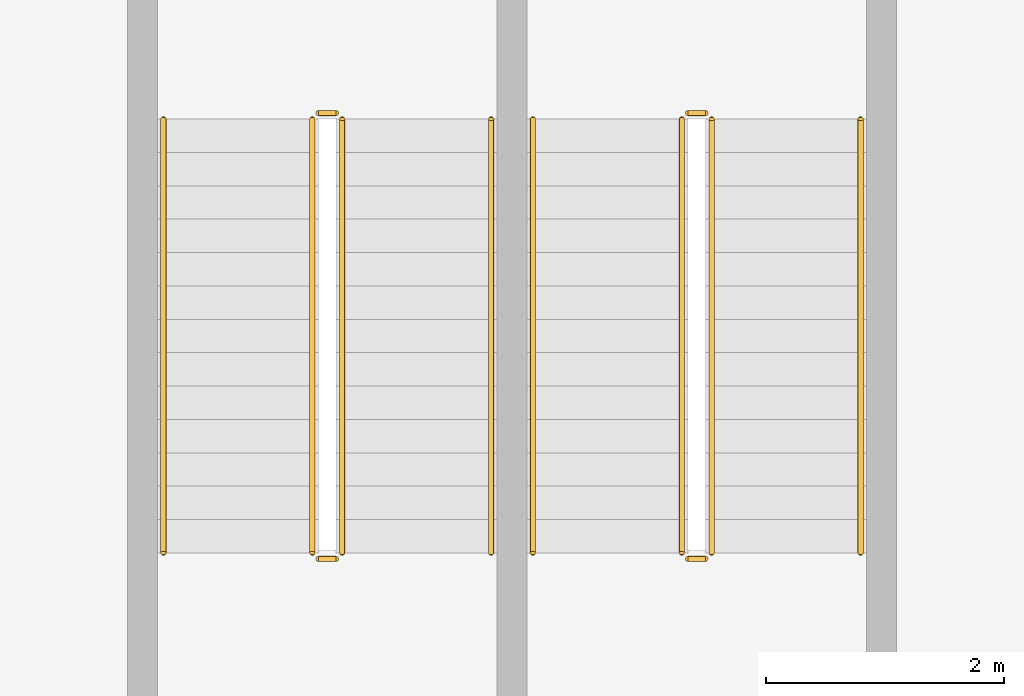
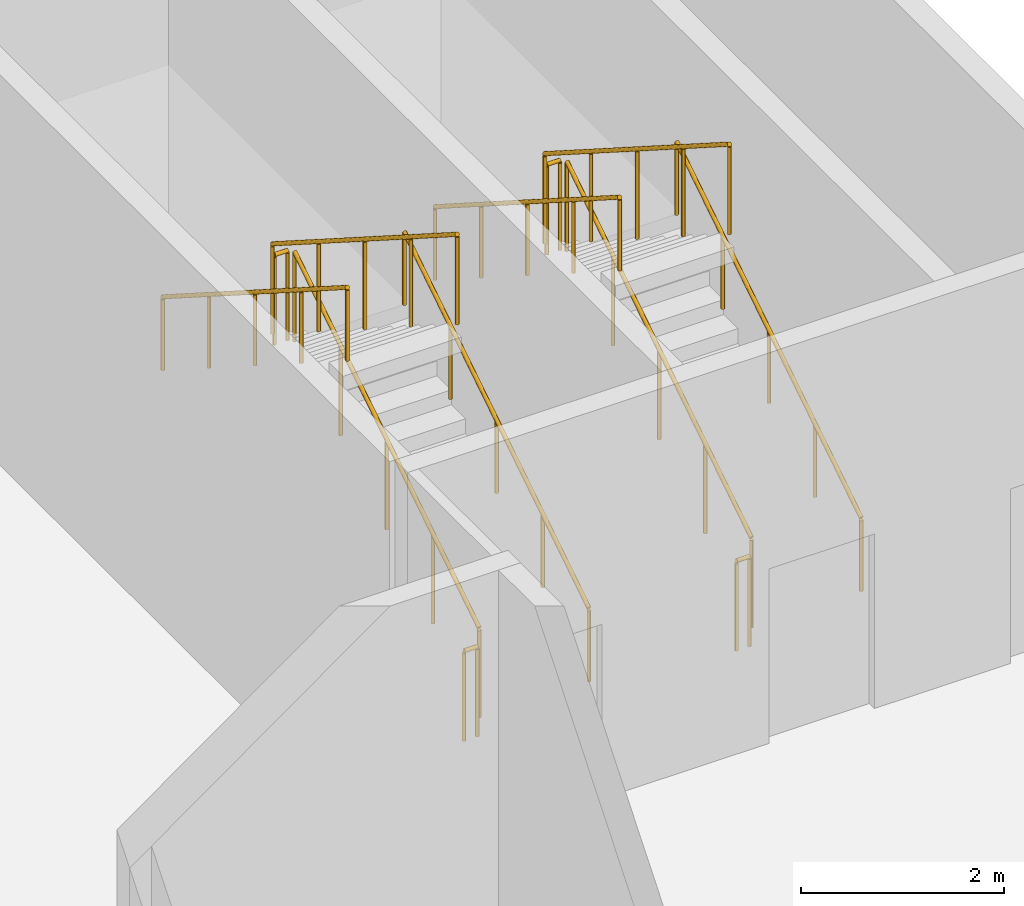
# One storey, part 32 of 33: 12 railings.
"""IFC4 building model written with IfcOpenShell, lengths in metres."""

import ifcopenshell
import ifcopenshell.guid

model = None  # the IFC model being written
_history = None  # IfcOwnerHistory: only IFC2X3 demands one
_inside = {}  # id of a spatial element -> (the spatial element, [elements in it])
_under = {}  # id of a project, library or spatial element -> (it, [spatial elements below it])
_declared = {}  # id of a project -> (the project, [libraries it declares])
_typed = {}  # id of a type object -> (the type object, [elements of that type])
_made_of = {}  # id of a material, layer set ... -> (it, [elements and type objects made of it])


def new_model(schema):
    """Start an empty IFC model of exactly this schema.

    Asked for "IFC4X3", IfcOpenShell would pick the latest addendum, in which some entities
    have other attributes; the version numbers below select the first issue.
    IFC2X3 requires an IfcOwnerHistory on every rooted entity: one is made here for all.
    """
    global model, _history
    if schema == "IFC4X3":
        model = ifcopenshell.file(schema_version=(4, 3, 0, 0))
    else:
        model = ifcopenshell.file(schema=schema)
    _inside.clear()
    _under.clear()
    _declared.clear()
    _typed.clear()
    _made_of.clear()
    _history = None
    if model.schema == "IFC2X3":
        org = make("IfcOrganization", Name="unknown")
        user = make(
            "IfcPersonAndOrganization",
            ThePerson=make("IfcPerson", FamilyName="unknown"),
            TheOrganization=org,
        )
        app = make(
            "IfcApplication",
            ApplicationDeveloper=org,
            Version="unknown",
            ApplicationFullName="unknown",
            ApplicationIdentifier="unknown",
        )
        _history = make(
            "IfcOwnerHistory",
            OwningUser=user,
            OwningApplication=app,
            ChangeAction="ADDED",
            CreationDate=0,
        )
    return model


def make(cls, **values):
    """One entity of the class cls with the attributes given. An attribute that is None is left unset."""
    return model.create_entity(
        cls, **{name: value for name, value in values.items() if value is not None}
    )


def rooted(cls, **values):
    """An entity with a GlobalId (a new one), such as an element, a storey or a relation."""
    return make(cls, GlobalId=ifcopenshell.guid.new(), OwnerHistory=_history, **values)


def si_unit(unit_type, name, prefix=None):
    """IfcSIUnit, for example si_unit("LENGTHUNIT", "METRE", prefix="MILLI")."""
    return make("IfcSIUnit", UnitType=unit_type, Prefix=prefix, Name=name)


def assignment(units):
    """IfcUnitAssignment: the units of a project."""
    return None if units is None else make("IfcUnitAssignment", Units=units)


def point(xyz):
    """IfcCartesianPoint."""
    return None if xyz is None else make("IfcCartesianPoint", Coordinates=xyz)


def direction(xyz):
    """IfcDirection."""
    return None if xyz is None else make("IfcDirection", DirectionRatios=xyz)


def frame(location, z_axis=None, x_axis=None):
    """IfcAxis2Placement3D, a coordinate frame: its origin and axes. An axis left out is left unset."""
    return make(
        "IfcAxis2Placement3D",
        Location=point(location),
        Axis=direction(z_axis),
        RefDirection=direction(x_axis),
    )


def frame_2d(location, x_axis=None):
    """IfcAxis2Placement2D, a coordinate frame in the plane: its origin and x axis."""
    return make(
        "IfcAxis2Placement2D", Location=point(location), RefDirection=direction(x_axis)
    )


def origin():
    """The frame at (0, 0, 0) with its axes left unset."""
    return frame((0.0, 0.0, 0.0))


def origin_2d():
    """The frame at (0, 0) in the plane with its x axis left unset."""
    return frame_2d((0.0, 0.0))


def place(relative_to, where):
    """IfcLocalPlacement: puts the frame where relative to a parent placement (None: the world)."""
    return make(
        "IfcLocalPlacement", PlacementRelTo=relative_to, RelativePlacement=where
    )


def context(
    kind, dimensions, precision=None, world=None, true_north=None, identifier=None
):
    """IfcGeometricRepresentationContext, for example the 3D "Model" context."""
    return make(
        "IfcGeometricRepresentationContext",
        ContextIdentifier=identifier,
        ContextType=kind,
        CoordinateSpaceDimension=dimensions,
        Precision=precision,
        WorldCoordinateSystem=world,
        TrueNorth=true_north,
    )


def subcontext(parent, identifier, kind, view, scale=None):
    """IfcGeometricRepresentationSubContext, for example "Body" below "Model"."""
    return make(
        "IfcGeometricRepresentationSubContext",
        ContextIdentifier=identifier,
        ContextType=kind,
        ParentContext=parent,
        TargetScale=scale,
        TargetView=view,
    )


def project(units=None, contexts=None):
    """IfcProject with its units and contexts."""
    return rooted(
        "IfcProject",
        Name="project",
        RepresentationContexts=contexts,
        UnitsInContext=assignment(units),
    )


def spatial(cls, under=None, at=None, **own):
    """A site, building, storey or space (cls), placed at a placement, below another one or the project."""
    s = rooted(cls, ObjectPlacement=at, **own)
    if under is not None:
        _under.setdefault(under.id(), (under, []))[1].append(s)
    return s


def profile(cls, at=None, kind="AREA", **sizes):
    """A parametric profile (cls). Its sizes go by their IFC names, for example OverallWidth=200.0."""
    return make(cls, ProfileType=kind, Position=at, **sizes)


def circle(**sizes):
    """IfcCircleProfileDef."""
    return profile("IfcCircleProfileDef", **sizes)


def extrude(swept, where, along, depth):
    """IfcExtrudedAreaSolid: the profile swept, set in the frame where, extruded along a direction by depth."""
    return make(
        "IfcExtrudedAreaSolid",
        SweptArea=swept,
        Position=where,
        ExtrudedDirection=direction(along),
        Depth=depth,
    )


def shape(context_of_items, identifier, shape_type, items):
    """IfcShapeRepresentation: the items that make up one representation, for example the "Body"."""
    return make(
        "IfcShapeRepresentation",
        ContextOfItems=context_of_items,
        RepresentationIdentifier=identifier,
        RepresentationType=shape_type,
        Items=items,
    )


def material(Name=None, Category=None):
    """IfcMaterial."""
    return make("IfcMaterial", Name=Name, Category=Category)


def made_of(thing, what):
    """Note that an element or type object is made of a material, layer set ...; save() writes the relation."""
    if what is not None:
        _made_of.setdefault(what.id(), (what, []))[1].append(thing)
    return thing


def type_object(cls, material=None, **own):
    """A type object (cls), such as IfcWallType, which elements share."""
    return made_of(rooted(cls, **own), material)


def element(
    cls,
    number,
    at=None,
    inside=None,
    cuts=None,
    type_object=None,
    material=None,
    context=None,
    identifier="Body",
    shape_type=None,
    held_by="IfcProductDefinitionShape",
    body=None,
    shapes=None,
    **own,
):
    """One element of the class cls, such as IfcWall. Its Tag is "e" and its number.

    at: its placement. inside: the storey or other place that contains it. cuts: it is an
    opening in that element (IfcRelVoidsElement). A single representation is given by context,
    identifier, shape_type and body (its items); several are given by shapes. held_by: the class
    of the entity that holds the representations. save() writes the other relations.
    """
    e = rooted(cls, Tag="e%d" % number, ObjectPlacement=at, **own)
    if body is not None:
        shapes = [shape(context, identifier, shape_type, body)]
    if shapes is not None:
        e.Representation = make(held_by, Representations=shapes)
    if inside is not None:
        _inside.setdefault(inside.id(), (inside, []))[1].append(e)
    if cuts is not None:
        rooted(
            "IfcRelVoidsElement", RelatingBuildingElement=cuts, RelatedOpeningElement=e
        )
    if type_object is not None:
        _typed.setdefault(type_object.id(), (type_object, []))[1].append(e)
    return made_of(e, material)


def aggregate(whole, parts):
    """IfcRelAggregates: a whole, such as a stair, and the parts it consists of."""
    return rooted("IfcRelAggregates", RelatingObject=whole, RelatedObjects=parts)


def save(model, path):
    """Write the relations noted so far, then the file.

    IfcRelAggregates (storeys below a building ...), IfcRelContainedInSpatialStructure (elements
    in a storey), IfcRelDefinesByType, IfcRelAssociatesMaterial and IfcRelDeclares: one each for
    every whole, place, type object, material and project.
    """
    for whole, parts in _under.values():
        aggregate(whole, parts)
    for where, things in _inside.values():
        rooted(
            "IfcRelContainedInSpatialStructure",
            RelatedElements=things,
            RelatingStructure=where,
        )
    for kind, things in _typed.values():
        rooted("IfcRelDefinesByType", RelatedObjects=things, RelatingType=kind)
    for what, things in _made_of.values():
        rooted("IfcRelAssociatesMaterial", RelatedObjects=things, RelatingMaterial=what)
    for by, libraries in _declared.values():
        rooted("IfcRelDeclares", RelatingContext=by, RelatedDefinitions=libraries)
    model.write(path)


model = new_model("IFC4")

# Units and contexts
model_context = context("Model", 3, precision=1e-05, world=origin(), true_north=direction((0.0, 1.0)))
body_context = subcontext(model_context, "Body", "Model", "MODEL_VIEW")
ifc_project = project(units=[si_unit("LENGTHUNIT", "METRE"), si_unit("AREAUNIT", "SQUARE_METRE"), si_unit("VOLUMEUNIT", "CUBIC_METRE"), si_unit("PLANEANGLEUNIT", "RADIAN"), si_unit("MASSUNIT", "GRAM", prefix="KILO")], contexts=[model_context])

# Site, building, storey
site_placement = place(None, origin())
site = spatial("IfcSite", under=ifc_project, at=site_placement, CompositionType="ELEMENT")
building_placement = place(site_placement, origin())
building = spatial("IfcBuilding", under=site, at=building_placement, Name="Candeia Pilgrim Tower and Theatre", CompositionType="ELEMENT")
storey_placement = place(building_placement, frame((0.0, 0.0, 29.0)))
storey = spatial("IfcBuildingStorey", under=building, at=storey_placement, Name="L04", CompositionType="ELEMENT", Elevation=29.0)

# Railings
ifc_material = material(Name="Steel S355", Category="steel")
railing_type_1 = type_object("IfcRailingType", Name="Guard 1100 steel balustrade", PredefinedType="GUARDRAIL", material=ifc_material)
railing_1_placement = place(storey_placement, frame((236.47509765625, 107.77490234375, 0.178466796875)))
element("IfcRailing", 1, at=railing_1_placement, inside=storey, type_object=railing_type_1, Name="L04 TS3 stair guard 1", PredefinedType="GUARDRAIL", context=body_context, shape_type="SweptSolid", body=[
    extrude(circle(Radius=0.02392578125, at=origin_2d()), frame((0.0, 0.0, 1.076171875), z_axis=(0.0, 0.843127859045, 0.537713132908), x_axis=(-1.0, 0.0, 0.0)), (0.0, 0.0, 1.0), 4.3173828125),
    extrude(circle(Radius=0.02099609375, at=origin_2d()), origin(), (0.0, 0.0, 1.0), 1.052001953125),
    extrude(circle(Radius=0.02099609375, at=origin_2d()), frame((0.0, 0.91015625, 0.580322265625)), (0.0, 0.0, 1.0), 1.052001953125),
    extrude(circle(Radius=0.02099609375, at=origin_2d()), frame((0.0, 1.820068359375, 1.16064453125)), (0.0, 0.0, 1.0), 1.052001953125),
    extrude(circle(Radius=0.02099609375, at=origin_2d()), frame((0.0, 2.72998046875, 1.7412109375)), (0.0, 0.0, 1.0), 1.052001953125),
    extrude(circle(Radius=0.02099609375, at=origin_2d()), frame((0.0, 3.64013671875, 2.321533203125)), (0.0, 0.0, 1.0), 1.052001953125),
])
railing_2_placement = place(storey_placement, frame((236.425048828125, 111.465087890625, 2.5)))
element("IfcRailing", 2, at=railing_2_placement, inside=storey, type_object=railing_type_1, Name="L04 TS3 stair guard 2", PredefinedType="GUARDRAIL", context=body_context, shape_type="SweptSolid", body=[
    extrude(circle(Radius=0.02392578125, at=origin_2d()), frame((0.0, 0.0, 1.076171875), z_axis=(-1.0, 0.0, 0.0), x_axis=(0.0, -1.0, 0.0)), (0.0, 0.0, 1.0), 0.150146484375),
    extrude(circle(Radius=0.02099609375, at=origin_2d()), origin(), (0.0, 0.0, 1.0), 1.052001953125),
    extrude(circle(Radius=0.02099609375, at=origin_2d()), frame((-0.150146484375, 0.0, 0.0)), (0.0, 0.0, 1.0), 1.052001953125),
])
railing_3_placement = place(storey_placement, frame((236.22509765625, 111.4150390625, 2.678466796875)))
element("IfcRailing", 3, at=railing_3_placement, inside=storey, type_object=railing_type_1, Name="L04 TS3 stair guard 3", PredefinedType="GUARDRAIL", context=body_context, shape_type="SweptSolid", body=[
    extrude(circle(Radius=0.02392578125, at=origin_2d()), frame((0.0, 0.0, 1.076171875), z_axis=(0.0, -0.843127859045, 0.537713132908), x_axis=(1.0, 0.0, 0.0)), (0.0, 0.0, 1.0), 4.3173828125),
    extrude(circle(Radius=0.02099609375, at=origin_2d()), origin(), (0.0, 0.0, 1.0), 1.052001953125),
    extrude(circle(Radius=0.02099609375, at=origin_2d()), frame((0.0, -0.91015625, 0.580322265625)), (0.0, 0.0, 1.0), 1.052001953125),
    extrude(circle(Radius=0.02099609375, at=origin_2d()), frame((0.0, -1.820068359375, 1.16064453125)), (0.0, 0.0, 1.0), 1.052001953125),
    extrude(circle(Radius=0.02099609375, at=origin_2d()), frame((0.0, -2.72998046875, 1.7412109375)), (0.0, 0.0, 1.0), 1.052001953125),
    extrude(circle(Radius=0.02099609375, at=origin_2d()), frame((0.0, -3.64013671875, 2.321533203125)), (0.0, 0.0, 1.0), 1.052001953125),
])
railing_4_placement = place(storey_placement, frame((236.425048828125, 107.72509765625, 0.0)))
element("IfcRailing", 4, at=railing_4_placement, inside=storey, type_object=railing_type_1, Name="L04 TS3 stair guard 4", PredefinedType="GUARDRAIL", context=body_context, shape_type="SweptSolid", body=[
    extrude(circle(Radius=0.02392578125, at=origin_2d()), frame((0.0, 0.0, 1.076171875), z_axis=(-1.0, 0.0, 0.0), x_axis=(0.0, -1.0, 0.0)), (0.0, 0.0, 1.0), 0.150146484375),
    extrude(circle(Radius=0.02099609375, at=origin_2d()), origin(), (0.0, 0.0, 1.0), 1.052001953125),
    extrude(circle(Radius=0.02099609375, at=origin_2d()), frame((-0.150146484375, 0.0, 0.0)), (0.0, 0.0, 1.0), 1.052001953125),
])
railing_5_placement = place(storey_placement, frame((239.574951171875, 107.77490234375, 0.178466796875)))
element("IfcRailing", 5, at=railing_5_placement, inside=storey, type_object=railing_type_1, Name="L04 TS4 stair guard 1", PredefinedType="GUARDRAIL", context=body_context, shape_type="SweptSolid", body=[
    extrude(circle(Radius=0.02392578125, at=origin_2d()), frame((0.0, 0.0, 1.076171875), z_axis=(0.0, 0.843127859045, 0.537713132908), x_axis=(-1.0, 0.0, 0.0)), (0.0, 0.0, 1.0), 4.3173828125),
    extrude(circle(Radius=0.02099609375, at=origin_2d()), origin(), (0.0, 0.0, 1.0), 1.052001953125),
    extrude(circle(Radius=0.02099609375, at=origin_2d()), frame((0.0, 0.91015625, 0.580322265625)), (0.0, 0.0, 1.0), 1.052001953125),
    extrude(circle(Radius=0.02099609375, at=origin_2d()), frame((0.0, 1.820068359375, 1.16064453125)), (0.0, 0.0, 1.0), 1.052001953125),
    extrude(circle(Radius=0.02099609375, at=origin_2d()), frame((0.0, 2.72998046875, 1.7412109375)), (0.0, 0.0, 1.0), 1.052001953125),
    extrude(circle(Radius=0.02099609375, at=origin_2d()), frame((0.0, 3.64013671875, 2.321533203125)), (0.0, 0.0, 1.0), 1.052001953125),
])
railing_6_placement = place(storey_placement, frame((239.52490234375, 111.465087890625, 2.5)))
element("IfcRailing", 6, at=railing_6_placement, inside=storey, type_object=railing_type_1, Name="L04 TS4 stair guard 2", PredefinedType="GUARDRAIL", context=body_context, shape_type="SweptSolid", body=[
    extrude(circle(Radius=0.02392578125, at=origin_2d()), frame((0.0, 0.0, 1.076171875), z_axis=(-1.0, 0.0, 0.0), x_axis=(0.0, -1.0, 0.0)), (0.0, 0.0, 1.0), 0.14990234375),
    extrude(circle(Radius=0.02099609375, at=origin_2d()), origin(), (0.0, 0.0, 1.0), 1.052001953125),
    extrude(circle(Radius=0.02099609375, at=origin_2d()), frame((-0.14990234375, 0.0, 0.0)), (0.0, 0.0, 1.0), 1.052001953125),
])
railing_7_placement = place(storey_placement, frame((239.324951171875, 111.4150390625, 2.678466796875)))
element("IfcRailing", 7, at=railing_7_placement, inside=storey, type_object=railing_type_1, Name="L04 TS4 stair guard 3", PredefinedType="GUARDRAIL", context=body_context, shape_type="SweptSolid", body=[
    extrude(circle(Radius=0.02392578125, at=origin_2d()), frame((0.0, 0.0, 1.076171875), z_axis=(0.0, -0.843127859045, 0.537713132908), x_axis=(1.0, 0.0, 0.0)), (0.0, 0.0, 1.0), 4.3173828125),
    extrude(circle(Radius=0.02099609375, at=origin_2d()), origin(), (0.0, 0.0, 1.0), 1.052001953125),
    extrude(circle(Radius=0.02099609375, at=origin_2d()), frame((0.0, -0.91015625, 0.580322265625)), (0.0, 0.0, 1.0), 1.052001953125),
    extrude(circle(Radius=0.02099609375, at=origin_2d()), frame((0.0, -1.820068359375, 1.16064453125)), (0.0, 0.0, 1.0), 1.052001953125),
    extrude(circle(Radius=0.02099609375, at=origin_2d()), frame((0.0, -2.72998046875, 1.7412109375)), (0.0, 0.0, 1.0), 1.052001953125),
    extrude(circle(Radius=0.02099609375, at=origin_2d()), frame((0.0, -3.64013671875, 2.321533203125)), (0.0, 0.0, 1.0), 1.052001953125),
])
railing_8_placement = place(storey_placement, frame((239.52490234375, 107.72509765625, 0.0)))
element("IfcRailing", 8, at=railing_8_placement, inside=storey, type_object=railing_type_1, Name="L04 TS4 stair guard 4", PredefinedType="GUARDRAIL", context=body_context, shape_type="SweptSolid", body=[
    extrude(circle(Radius=0.02392578125, at=origin_2d()), frame((0.0, 0.0, 1.076171875), z_axis=(-1.0, 0.0, 0.0), x_axis=(0.0, -1.0, 0.0)), (0.0, 0.0, 1.0), 0.14990234375),
    extrude(circle(Radius=0.02099609375, at=origin_2d()), origin(), (0.0, 0.0, 1.0), 1.052001953125),
    extrude(circle(Radius=0.02099609375, at=origin_2d()), frame((-0.14990234375, 0.0, 0.0)), (0.0, 0.0, 1.0), 1.052001953125),
])
railing_type_2 = type_object("IfcRailingType", Name="Handrail 900 steel", PredefinedType="HANDRAIL", material=ifc_material)
railing_9_placement = place(storey_placement, frame((237.72509765625, 107.77490234375, 0.178466796875)))
element("IfcRailing", 9, at=railing_9_placement, inside=storey, type_object=railing_type_2, Name="L04 TS3 stair handrail 1", PredefinedType="HANDRAIL", context=body_context, shape_type="SweptSolid", body=[
    extrude(circle(Radius=0.02392578125, at=origin_2d()), frame((0.0, 0.0, 0.8759765625), z_axis=(0.0, 0.843127859045, 0.537713132908), x_axis=(-1.0, 0.0, 0.0)), (0.0, 0.0, 1.0), 4.3173828125),
    extrude(circle(Radius=0.02099609375, at=origin_2d()), origin(), (0.0, 0.0, 1.0), 0.851806640625),
    extrude(circle(Radius=0.02099609375, at=origin_2d()), frame((0.0, 0.91015625, 0.580322265625)), (0.0, 0.0, 1.0), 0.851806640625),
    extrude(circle(Radius=0.02099609375, at=origin_2d()), frame((0.0, 1.820068359375, 1.16064453125)), (0.0, 0.0, 1.0), 0.851806640625),
    extrude(circle(Radius=0.02099609375, at=origin_2d()), frame((0.0, 2.72998046875, 1.7412109375)), (0.0, 0.0, 1.0), 0.851806640625),
    extrude(circle(Radius=0.02099609375, at=origin_2d()), frame((0.0, 3.64013671875, 2.321533203125)), (0.0, 0.0, 1.0), 0.851806640625),
])
railing_10_placement = place(storey_placement, frame((234.97509765625, 111.4150390625, 2.678466796875)))
element("IfcRailing", 10, at=railing_10_placement, inside=storey, type_object=railing_type_2, Name="L04 TS3 stair handrail 2", PredefinedType="HANDRAIL", context=body_context, shape_type="SweptSolid", body=[
    extrude(circle(Radius=0.02392578125, at=origin_2d()), frame((0.0, 0.0, 0.8759765625), z_axis=(0.0, -0.843127859045, 0.537713132908), x_axis=(1.0, 0.0, 0.0)), (0.0, 0.0, 1.0), 4.3173828125),
    extrude(circle(Radius=0.02099609375, at=origin_2d()), origin(), (0.0, 0.0, 1.0), 0.851806640625),
    extrude(circle(Radius=0.02099609375, at=origin_2d()), frame((0.0, -0.91015625, 0.580322265625)), (0.0, 0.0, 1.0), 0.851806640625),
    extrude(circle(Radius=0.02099609375, at=origin_2d()), frame((0.0, -1.820068359375, 1.16064453125)), (0.0, 0.0, 1.0), 0.851806640625),
    extrude(circle(Radius=0.02099609375, at=origin_2d()), frame((0.0, -2.72998046875, 1.7412109375)), (0.0, 0.0, 1.0), 0.851806640625),
    extrude(circle(Radius=0.02099609375, at=origin_2d()), frame((0.0, -3.64013671875, 2.321533203125)), (0.0, 0.0, 1.0), 0.851806640625),
])
railing_11_placement = place(storey_placement, frame((240.824951171875, 107.77490234375, 0.178466796875)))
element("IfcRailing", 11, at=railing_11_placement, inside=storey, type_object=railing_type_2, Name="L04 TS4 stair handrail 1", PredefinedType="HANDRAIL", context=body_context, shape_type="SweptSolid", body=[
    extrude(circle(Radius=0.02392578125, at=origin_2d()), frame((0.0, 0.0, 0.8759765625), z_axis=(0.0, 0.843127859045, 0.537713132908), x_axis=(-1.0, 0.0, 0.0)), (0.0, 0.0, 1.0), 4.3173828125),
    extrude(circle(Radius=0.02099609375, at=origin_2d()), origin(), (0.0, 0.0, 1.0), 0.851806640625),
    extrude(circle(Radius=0.02099609375, at=origin_2d()), frame((0.0, 0.91015625, 0.580322265625)), (0.0, 0.0, 1.0), 0.851806640625),
    extrude(circle(Radius=0.02099609375, at=origin_2d()), frame((0.0, 1.820068359375, 1.16064453125)), (0.0, 0.0, 1.0), 0.851806640625),
    extrude(circle(Radius=0.02099609375, at=origin_2d()), frame((0.0, 2.72998046875, 1.7412109375)), (0.0, 0.0, 1.0), 0.851806640625),
    extrude(circle(Radius=0.02099609375, at=origin_2d()), frame((0.0, 3.64013671875, 2.321533203125)), (0.0, 0.0, 1.0), 0.851806640625),
])
railing_12_placement = place(storey_placement, frame((238.074951171875, 111.4150390625, 2.678466796875)))
element("IfcRailing", 12, at=railing_12_placement, inside=storey, type_object=railing_type_2, Name="L04 TS4 stair handrail 2", PredefinedType="HANDRAIL", context=body_context, shape_type="SweptSolid", body=[
    extrude(circle(Radius=0.02392578125, at=origin_2d()), frame((0.0, 0.0, 0.8759765625), z_axis=(0.0, -0.843127859045, 0.537713132908), x_axis=(1.0, 0.0, 0.0)), (0.0, 0.0, 1.0), 4.3173828125),
    extrude(circle(Radius=0.02099609375, at=origin_2d()), origin(), (0.0, 0.0, 1.0), 0.851806640625),
    extrude(circle(Radius=0.02099609375, at=origin_2d()), frame((0.0, -0.91015625, 0.580322265625)), (0.0, 0.0, 1.0), 0.851806640625),
    extrude(circle(Radius=0.02099609375, at=origin_2d()), frame((0.0, -1.820068359375, 1.16064453125)), (0.0, 0.0, 1.0), 0.851806640625),
    extrude(circle(Radius=0.02099609375, at=origin_2d()), frame((0.0, -2.72998046875, 1.7412109375)), (0.0, 0.0, 1.0), 0.851806640625),
    extrude(circle(Radius=0.02099609375, at=origin_2d()), frame((0.0, -3.64013671875, 2.321533203125)), (0.0, 0.0, 1.0), 0.851806640625),
])

save(model, "model.ifc")
